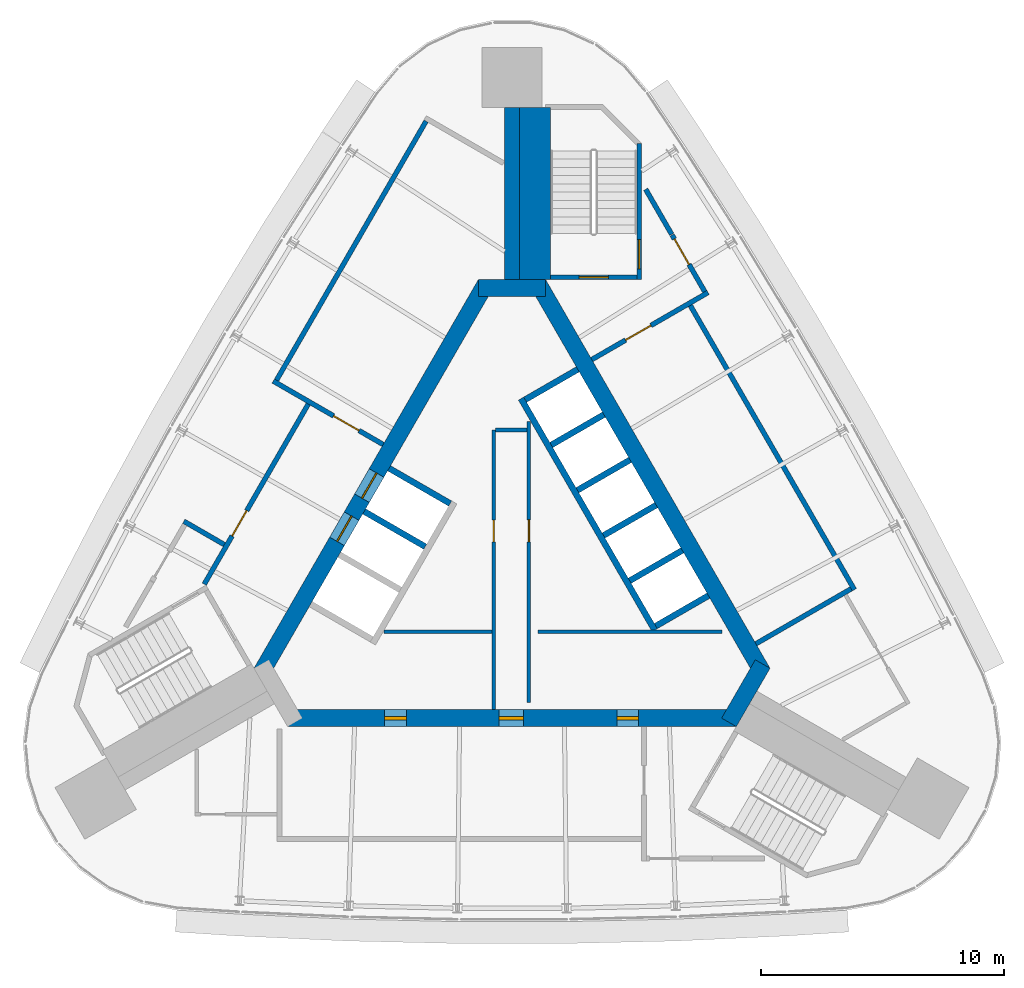
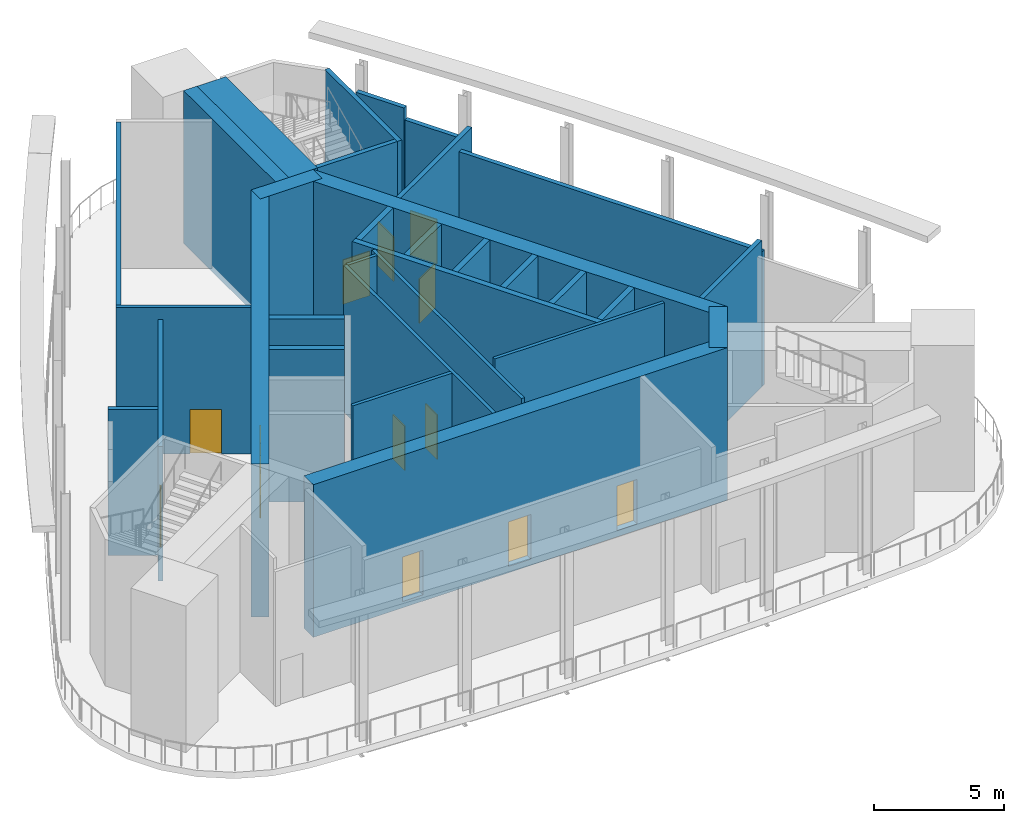
# One storey, part 3 of 7: 32 walls, 13 doors, 13 openings.
"""IFC4 building model written with IfcOpenShell, lengths in metres."""

from ifc_helpers import new_model, si_unit, direction, frame, frame_2d, origin, place, context, subcontext, project, spatial, rectangle, extrude, material, layer, layer_set, type_object, element, fill, save


model = new_model("IFC4")

# Units and contexts
model_context = context("Model", 3, precision=1e-05, world=origin(), true_north=direction((0.0, 1.0)))
body_context = subcontext(model_context, "Body", "Model", "MODEL_VIEW")
ifc_project = project(units=[si_unit("LENGTHUNIT", "METRE"), si_unit("AREAUNIT", "SQUARE_METRE"), si_unit("VOLUMEUNIT", "CUBIC_METRE"), si_unit("PLANEANGLEUNIT", "RADIAN"), si_unit("MASSUNIT", "GRAM", prefix="KILO")], contexts=[model_context])

# Site, building, storey
site_placement = place(None, origin())
site = spatial("IfcSite", under=ifc_project, at=site_placement, CompositionType="ELEMENT")
building_placement = place(site_placement, origin())
building = spatial("IfcBuilding", under=site, at=building_placement, Name="Noor Cloister Tower", CompositionType="ELEMENT")
storey_placement = place(building_placement, frame((0.0, 0.0, 250.800048828125)))
storey = spatial("IfcBuildingStorey", under=building, at=storey_placement, Name="L65", CompositionType="ELEMENT", Elevation=250.800048828125)

# Walls
ifc_material_1 = material(Name="Concrete C60/75", Category="concrete")
ifc_layer_1 = layer(ifc_material_1, 0.60009765625)
ifc_layer_set_1 = layer_set([ifc_layer_1], Name="Buttress wall 600 C60/75")
wall_type_1 = type_object("IfcWallType", Name="Buttress wall 600 C60/75", PredefinedType="SHEAR", material=ifc_layer_set_1)
wall_1_placement = place(storey_placement, frame((0.0, 11.456298828125, -0.300048828125), z_axis=(0.0, 0.0, 1.0), x_axis=(0.0, 1.0, 0.0)))
element("IfcWall", 1, at=wall_1_placement, inside=storey, type_object=wall_type_1, Name="Buttress wall N L65", PredefinedType="SHEAR", context=body_context, shape_type="SweptSolid", body=[
    extrude(rectangle(XDim=7.09375, YDim=0.60009765625, at=frame_2d((3.546875, 0.0))), origin(), (0.0, 0.0, 1.0), 7.199951171875),
])
ifc_material_2 = material(Name="Concrete C30/37", Category="concrete")
ifc_layer_2 = layer(ifc_material_2, 0.14990234375)
ifc_layer_set_2 = layer_set([ifc_layer_2], Name="Core partition 150 C30/37")
wall_type_2 = type_object("IfcWallType", Name="Core partition 150 C30/37", PredefinedType="PARTITIONING", material=ifc_layer_set_2)
wall_2_placement = place(storey_placement, frame((-5.2578125, -3.0283203125, 0.0), z_axis=(0.0, 0.0, 1.0), x_axis=(1.0, 0.0, 0.0)))
element("IfcWall", 2, at=wall_2_placement, inside=storey, type_object=wall_type_2, Name="Core room partition L65 1", PredefinedType="PARTITIONING", context=body_context, shape_type="SweptSolid", body=[
    extrude(rectangle(XDim=4.42919921875, YDim=0.14990234375, at=frame_2d((2.214599609375, 0.0))), origin(), (0.0, 0.0, 1.0), 6.89990234375),
])

# Wall, opening, door
wall_3_placement = place(storey_placement, frame((-0.753662109375, 5.271728515625, 0.0), z_axis=(0.0, 0.0, 1.0), x_axis=(0.0, -1.0, 0.0)))
wall_3 = element("IfcWall", 3, at=wall_3_placement, inside=storey, type_object=wall_type_2, Name="Core room partition L65 2", PredefinedType="PARTITIONING", context=body_context, shape_type="SweptSolid", body=[
    extrude(rectangle(XDim=11.5, YDim=0.14990234375, at=frame_2d((5.75, 0.0))), origin(), (0.0, 0.0, 1.0), 6.89990234375),
])
opening_1_placement = place(wall_3_placement, frame((3.700927734375, 0.0, 0.0)))
opening_1 = element("IfcOpeningElement", 4, at=opening_1_placement, cuts=wall_3, Name="Opening L65-904", PredefinedType="OPENING", context=body_context, shape_type="SweptSolid", body=[
    extrude(rectangle(XDim=0.89990234375, YDim=2.10009765625, at=frame_2d((0.449951171875, 1.050048828125))), frame((0.0, 0.0849609375, 0.0), z_axis=(0.0, -1.0, 0.0), x_axis=(1.0, 0.0, 0.0)), (0.0, 0.0, 1.0), 0.169921875),
])
ifc_material_3 = material(Name="Steel", Category="steel")
door_type_1 = type_object("IfcDoorType", Name="Core door 900 x 2100 FD60", OperationType="SINGLE_SWING_LEFT", PredefinedType="DOOR", material=ifc_material_3)
door_1_placement = place(opening_1_placement, origin())
door_1 = element("IfcDoor", 5, at=door_1_placement, inside=storey, type_object=door_type_1, Name="Core door 4 L65", OperationType="SINGLE_SWING_RIGHT", OverallHeight=2.10009765625, OverallWidth=0.89990234375, PredefinedType="DOOR", context=body_context, shape_type="SweptSolid", body=[
    extrude(rectangle(XDim=0.89990234375, YDim=2.10009765625, at=frame_2d((0.449951171875, 1.050048828125))), frame((0.0, 0.02490234375, 0.0), z_axis=(0.0, -1.0, 0.0), x_axis=(1.0, 0.0, 0.0)), (0.0, 0.0, 1.0), 0.050048828125),
])
fill(opening_1, door_1)

# Wall
wall_4_placement = place(storey_placement, frame((-0.6787109375, 5.271728515625, 0.0), z_axis=(0.0, 0.0, 1.0), x_axis=(1.0, 0.0, 0.0)))
element("IfcWall", 6, at=wall_4_placement, inside=storey, type_object=wall_type_2, Name="Core room partition L65 3", PredefinedType="PARTITIONING", context=body_context, shape_type="SweptSolid", body=[
    extrude(rectangle(XDim=1.300048828125, YDim=0.14990234375, at=frame_2d((0.64990234375, 0.0))), origin(), (0.0, 0.0, 1.0), 6.89990234375),
])

# Wall, opening, door
wall_5_placement = place(storey_placement, frame((0.6962890625, -5.92822265625, 0.0), z_axis=(0.0, 0.0, 1.0), x_axis=(0.0, 1.0, 0.0)))
wall_5 = element("IfcWall", 7, at=wall_5_placement, inside=storey, type_object=wall_type_2, Name="Core room partition L65 4", PredefinedType="PARTITIONING", context=body_context, shape_type="SweptSolid", body=[
    extrude(rectangle(XDim=11.548583984375, YDim=0.14990234375, at=frame_2d((5.7744140625, 0.0))), origin(), (0.0, 0.0, 1.0), 6.89990234375),
])
opening_2_placement = place(wall_5_placement, frame((6.60009765625, 0.0, 0.0)))
opening_2 = element("IfcOpeningElement", 8, at=opening_2_placement, cuts=wall_5, Name="Opening L65-905", PredefinedType="OPENING", context=body_context, shape_type="SweptSolid", body=[
    extrude(rectangle(XDim=0.89990234375, YDim=2.10009765625, at=frame_2d((0.449951171875, 1.050048828125))), frame((0.0, 0.0849609375, 0.0), z_axis=(0.0, -1.0, 0.0), x_axis=(1.0, 0.0, 0.0)), (0.0, 0.0, 1.0), 0.169921875),
])
ifc_material_4 = material(Name="Steel", Category="steel")
door_type_2 = type_object("IfcDoorType", Name="Core door 900 x 2100 FD120", OperationType="SINGLE_SWING_LEFT", PredefinedType="DOOR", material=ifc_material_4)
door_2_placement = place(opening_2_placement, origin())
door_2 = element("IfcDoor", 9, at=door_2_placement, inside=storey, type_object=door_type_2, Name="Core door 5 L65", OperationType="SINGLE_SWING_LEFT", OverallHeight=2.10009765625, OverallWidth=0.89990234375, PredefinedType="DOOR", context=body_context, shape_type="SweptSolid", body=[
    extrude(rectangle(XDim=0.89990234375, YDim=2.10009765625, at=frame_2d((0.449951171875, 1.050048828125))), frame((0.0, 0.02490234375, 0.0), z_axis=(0.0, -1.0, 0.0), x_axis=(1.0, 0.0, 0.0)), (0.0, 0.0, 1.0), 0.050048828125),
])
fill(opening_2, door_2)

# Wall
wall_6_placement = place(storey_placement, frame((1.0712890625, -3.0283203125, 0.0), z_axis=(0.0, 0.0, 1.0), x_axis=(1.0, 0.0, 0.0)))
element("IfcWall", 10, at=wall_6_placement, inside=storey, type_object=wall_type_2, Name="Core room partition L65 5", PredefinedType="PARTITIONING", context=body_context, shape_type="SweptSolid", body=[
    extrude(rectangle(XDim=7.568603515625, YDim=0.14990234375, at=frame_2d((3.7841796875, 0.0))), origin(), (0.0, 0.0, 1.0), 6.89990234375),
])

# Wall, openings, doors
ifc_material_5 = material(Name="Concrete C60/75", Category="concrete")
ifc_layer_3 = layer(ifc_material_5, 0.699951171875)
ifc_layer_set_3 = layer_set([ifc_layer_3], Name="Core wall 700 C60/75")
wall_type_3 = type_object("IfcWallType", Name="Core wall 700 C60/75", PredefinedType="SHEAR", material=ifc_layer_set_3)
wall_7_placement = place(storey_placement, frame((-9.228759765625, -6.578125, -0.300048828125), z_axis=(0.0, 0.0, 1.0), x_axis=(1.0, 0.0, 0.0)))
wall_7 = element("IfcWall", 11, at=wall_7_placement, inside=storey, type_object=wall_type_3, Name="Core wall L65 1", PredefinedType="SHEAR", context=body_context, shape_type="SweptSolid", body=[
    extrude(rectangle(XDim=18.45751953125, YDim=0.699951171875, at=frame_2d((9.228759765625, 0.0))), origin(), (0.0, 0.0, 1.0), 7.199951171875),
])
opening_3_placement = place(wall_7_placement, frame((8.699951171875, 0.0, 0.300048828125)))
opening_3 = element("IfcOpeningElement", 12, at=opening_3_placement, cuts=wall_7, Name="Opening L65-901", PredefinedType="OPENING", context=body_context, shape_type="SweptSolid", body=[
    extrude(rectangle(XDim=1.0, YDim=2.10009765625, at=frame_2d((0.5, 1.050048828125))), frame((0.0, 0.35986328125, 0.0), z_axis=(0.0, -1.0, 0.0), x_axis=(1.0, 0.0, 0.0)), (0.0, 0.0, 1.0), 0.719970703125),
])
opening_4_placement = place(wall_7_placement, frame((3.989501953125, 0.0, 0.300048828125)))
opening_4 = element("IfcOpeningElement", 13, at=opening_4_placement, cuts=wall_7, Name="Opening L65-902", PredefinedType="OPENING", context=body_context, shape_type="SweptSolid", body=[
    extrude(rectangle(XDim=0.89990234375, YDim=2.10009765625, at=frame_2d((0.449951171875, 1.050048828125))), frame((0.0, 0.35986328125, 0.0), z_axis=(0.0, -1.0, 0.0), x_axis=(1.0, 0.0, 0.0)), (0.0, 0.0, 1.0), 0.719970703125),
])
opening_5_placement = place(wall_7_placement, frame((13.5390625, 0.0, 0.300048828125)))
opening_5 = element("IfcOpeningElement", 14, at=opening_5_placement, cuts=wall_7, Name="Opening L65-903", PredefinedType="OPENING", context=body_context, shape_type="SweptSolid", body=[
    extrude(rectangle(XDim=0.89990234375, YDim=2.10009765625, at=frame_2d((0.449951171875, 1.050048828125))), frame((0.0, 0.35986328125, 0.0), z_axis=(0.0, -1.0, 0.0), x_axis=(1.0, 0.0, 0.0)), (0.0, 0.0, 1.0), 0.719970703125),
])
ifc_material_6 = material(Name="Steel", Category="steel")
door_type_3 = type_object("IfcDoorType", Name="Core door 1000 x 2100 FD120", OperationType="SINGLE_SWING_LEFT", PredefinedType="DOOR", material=ifc_material_6)
door_3_placement = place(opening_3_placement, origin())
door_3 = element("IfcDoor", 15, at=door_3_placement, inside=storey, type_object=door_type_3, Name="Core door 1 L65", OperationType="SINGLE_SWING_LEFT", OverallHeight=2.10009765625, OverallWidth=1.0, PredefinedType="DOOR", context=body_context, shape_type="SweptSolid", body=[
    extrude(rectangle(XDim=1.0, YDim=2.10009765625, at=frame_2d((0.5, 1.050048828125))), frame((0.0, 0.074951171875, 0.0), z_axis=(0.0, -1.0, 0.0), x_axis=(1.0, 0.0, 0.0)), (0.0, 0.0, 1.0), 0.14990234375),
])
fill(opening_3, door_3)
door_4_placement = place(opening_4_placement, origin())
door_4 = element("IfcDoor", 16, at=door_4_placement, inside=storey, type_object=door_type_2, Name="Core door 2 L65", OperationType="SINGLE_SWING_RIGHT", OverallHeight=2.10009765625, OverallWidth=0.89990234375, PredefinedType="DOOR", context=body_context, shape_type="SweptSolid", body=[
    extrude(rectangle(XDim=0.89990234375, YDim=2.10009765625, at=frame_2d((0.449951171875, 1.050048828125))), frame((0.0, 0.074951171875, 0.0), z_axis=(0.0, -1.0, 0.0), x_axis=(1.0, 0.0, 0.0)), (0.0, 0.0, 1.0), 0.14990234375),
])
fill(opening_4, door_4)
door_5_placement = place(opening_5_placement, origin())
door_5 = element("IfcDoor", 17, at=door_5_placement, inside=storey, type_object=door_type_1, Name="Core door 3 L65", OperationType="SINGLE_SWING_LEFT", OverallHeight=2.10009765625, OverallWidth=0.89990234375, PredefinedType="DOOR", context=body_context, shape_type="SweptSolid", body=[
    extrude(rectangle(XDim=0.89990234375, YDim=2.10009765625, at=frame_2d((0.449951171875, 1.050048828125))), frame((0.0, 0.074951171875, 0.0), z_axis=(0.0, -1.0, 0.0), x_axis=(1.0, 0.0, 0.0)), (0.0, 0.0, 1.0), 0.14990234375),
])
fill(opening_5, door_5)

# Walls
wall_8_placement = place(storey_placement, frame((8.925537109375, -6.753173828125, -0.300048828125), z_axis=(0.0, 0.0, 1.0), x_axis=(0.500042739161, 0.866000726912, 0.0)))
element("IfcWall", 18, at=wall_8_placement, inside=storey, type_object=wall_type_3, Name="Core wall L65 2", PredefinedType="SHEAR", context=body_context, shape_type="SweptSolid", body=[
    extrude(rectangle(XDim=2.771240234375, YDim=0.699951171875, at=frame_2d((1.3857421875, 0.0))), origin(), (0.0, 0.0, 1.0), 7.199951171875),
])
wall_9_placement = place(storey_placement, frame((10.311279296875, -4.703125, -0.300048828125), z_axis=(0.0, 0.0, 1.0), x_axis=(-0.500001446645, 0.866024568562, 0.0)))
element("IfcWall", 19, at=wall_9_placement, inside=storey, type_object=wall_type_3, Name="Core wall L65 3", PredefinedType="SHEAR", context=body_context, shape_type="SweptSolid", body=[
    extrude(rectangle(XDim=18.45751953125, YDim=0.699951171875, at=frame_2d((9.228759765625, 0.0))), origin(), (0.0, 0.0, 1.0), 7.199951171875),
])
wall_10_placement = place(storey_placement, frame((1.3857421875, 11.1064453125, -0.300048828125), z_axis=(0.0, 0.0, 1.0), x_axis=(-1.0, 0.0, 0.0)))
element("IfcWall", 20, at=wall_10_placement, inside=storey, type_object=wall_type_3, Name="Core wall L65 4", PredefinedType="SHEAR", context=body_context, shape_type="SweptSolid", body=[
    extrude(rectangle(XDim=2.771484375, YDim=0.699951171875, at=frame_2d((1.3857421875, 0.0))), origin(), (0.0, 0.0, 1.0), 7.199951171875),
])

# Wall, openings, doors
wall_11_placement = place(storey_placement, frame((-1.08251953125, 11.281494140625, -0.300048828125), z_axis=(0.0, 0.0, 1.0), x_axis=(-0.500001446645, -0.866024568562, 0.0)))
wall_11 = element("IfcWall", 21, at=wall_11_placement, inside=storey, type_object=wall_type_3, Name="Core wall L65 5", PredefinedType="SHEAR", context=body_context, shape_type="SweptSolid", body=[
    extrude(rectangle(XDim=18.45751953125, YDim=0.699951171875, at=frame_2d((9.228759765625, 0.0))), origin(), (0.0, 0.0, 1.0), 7.199951171875),
])
opening_6_placement = place(wall_11_placement, frame((8.978759765625, 0.0, 0.300048828125)))
opening_6 = element("IfcOpeningElement", 22, at=opening_6_placement, cuts=wall_11, Name="Opening L65-FF1", PredefinedType="OPENING", context=body_context, shape_type="SweptSolid", body=[
    extrude(rectangle(XDim=1.199951171875, YDim=2.10009765625, at=frame_2d((0.60009765625, 1.050048828125))), frame((0.0, 0.35986328125, 0.0), z_axis=(0.0, -1.0, 0.0), x_axis=(1.0, 0.0, 0.0)), (0.0, 0.0, 1.0), 0.719970703125),
])
opening_7_placement = place(wall_11_placement, frame((11.02880859375, 0.0, 0.300048828125)))
opening_7 = element("IfcOpeningElement", 23, at=opening_7_placement, cuts=wall_11, Name="Opening L65-FF2", PredefinedType="OPENING", context=body_context, shape_type="SweptSolid", body=[
    extrude(rectangle(XDim=1.199951171875, YDim=2.10009765625, at=frame_2d((0.60009765625, 1.050048828125))), frame((0.0, 0.35986328125, 0.0), z_axis=(0.0, -1.0, 0.0), x_axis=(1.0, 0.0, 0.0)), (0.0, 0.0, 1.0), 0.719970703125),
])
ifc_material_7 = material(Name="Stainless steel", Category="steel")
door_type_4 = type_object("IfcDoorType", Name="Lift landing door 1200 x 2100", OperationType="DOUBLE_DOOR_SLIDING", PredefinedType="DOOR", material=ifc_material_7)
door_6_placement = place(opening_6_placement, origin())
door_6 = element("IfcDoor", 24, at=door_6_placement, inside=storey, type_object=door_type_4, Name="Landing door FF1 L65", OperationType="DOUBLE_DOOR_SLIDING", OverallHeight=2.10009765625, OverallWidth=1.199951171875, PredefinedType="DOOR", context=body_context, shape_type="SweptSolid", body=[
    extrude(rectangle(XDim=1.199951171875, YDim=2.10009765625, at=frame_2d((0.60009765625, 1.050048828125))), frame((0.0, 0.02490234375, 0.0), z_axis=(0.0, -1.0, 0.0), x_axis=(1.0, 0.0, 0.0)), (0.0, 0.0, 1.0), 0.050048828125),
])
fill(opening_6, door_6)
door_7_placement = place(opening_7_placement, origin())
door_7 = element("IfcDoor", 25, at=door_7_placement, inside=storey, type_object=door_type_4, Name="Landing door FF2 L65", OperationType="DOUBLE_DOOR_SLIDING", OverallHeight=2.10009765625, OverallWidth=1.199951171875, PredefinedType="DOOR", context=body_context, shape_type="SweptSolid", body=[
    extrude(rectangle(XDim=1.199951171875, YDim=2.10009765625, at=frame_2d((0.60009765625, 1.050048828125))), frame((0.0, 0.02490234375, 0.0), z_axis=(0.0, -1.0, 0.0), x_axis=(1.0, 0.0, 0.0)), (0.0, 0.0, 1.0), 0.050048828125),
])
fill(opening_7, door_7)

# Walls
ifc_material_8 = material(Name="Concrete C60/75", Category="concrete")
ifc_layer_4 = layer(ifc_material_8, 0.25)
ifc_layer_set_4 = layer_set([ifc_layer_4], Name="Shaft wall 250 C60/75")
wall_type_4 = type_object("IfcWallType", Name="Shaft wall 250 C60/75", PredefinedType="PARTITIONING", material=ifc_layer_set_4)
for number, where, z_axis, x_axis, name in (
    (26, (8.081298828125, -1.540771484375, -0.300048828125), (0.0, 0.0, 1.0), (-0.866022959057, -0.500004234368, 0.0), "Lift shaft wall L65 NE 1"),
    (27, (7.00634765625, 0.3212890625, -0.300048828125), (0.0, 0.0, 1.0), (-0.866022959057, -0.500004234368, 0.0), "Lift shaft wall L65 NE 2"),
):
    element("IfcWall", number, at=place(storey_placement, frame(where, z_axis=z_axis, x_axis=x_axis)), inside=storey, type_object=wall_type_4, Name=name, PredefinedType="PARTITIONING", context=body_context, shape_type="SweptSolid", body=[
        extrude(rectangle(XDim=2.5, YDim=0.25, at=frame_2d((1.25, 0.0))), origin(), (0.0, 0.0, 1.0), 7.199951171875),
    ])
wall_12_placement = place(storey_placement, frame((5.931396484375, 2.18310546875, -0.300048828125), z_axis=(0.0, 0.0, 1.0), x_axis=(-0.866047370643, -0.499961950354, 0.0)))
element("IfcWall", 28, at=wall_12_placement, inside=storey, type_object=wall_type_4, Name="Lift shaft wall L65 NE 3", PredefinedType="PARTITIONING", context=body_context, shape_type="SweptSolid", body=[
    extrude(rectangle(XDim=2.500244140625, YDim=0.25, at=frame_2d((1.25, 0.0))), origin(), (0.0, 0.0, 1.0), 7.199951171875),
])
for number, where, z_axis, x_axis, name in (
    (29, (4.856201171875, 4.045166015625, -0.300048828125), (0.0, 0.0, 1.0), (-0.866022959057, -0.500004234368, 0.0), "Lift shaft wall L65 NE 4"),
    (30, (3.78125, 5.906982421875, -0.300048828125), (0.0, 0.0, 1.0), (-0.866022959057, -0.500004234368, 0.0), "Lift shaft wall L65 NE 5"),
    (31, (2.706298828125, 7.76904296875, -0.300048828125), (0.0, 0.0, 1.0), (-0.866022959057, -0.500004234368, 0.0), "Lift shaft wall L65 NE 6"),
):
    element("IfcWall", number, at=place(storey_placement, frame(where, z_axis=z_axis, x_axis=x_axis)), inside=storey, type_object=wall_type_4, Name=name, PredefinedType="PARTITIONING", context=body_context, shape_type="SweptSolid", body=[
        extrude(rectangle(XDim=2.5, YDim=0.25, at=frame_2d((1.25, 0.0))), origin(), (0.0, 0.0, 1.0), 7.199951171875),
    ])
wall_13_placement = place(storey_placement, frame((5.870361328125, -2.96142578125, 0.0), z_axis=(0.0, 0.0, 1.0), x_axis=(-0.50000615651, 0.866021849293, 0.0)))
element("IfcWall", 32, at=wall_13_placement, inside=storey, type_object=wall_type_4, Name="Lift shaft back wall L65 NE", PredefinedType="PARTITIONING", context=body_context, shape_type="SweptSolid", body=[
    extrude(rectangle(XDim=10.999755859375, YDim=0.25, at=frame_2d((5.5, 0.0))), origin(), (0.0, 0.0, 1.0), 6.89990234375),
])
for number, where, z_axis, x_axis, name in (
    (33, (-5.056396484375, 3.69873046875, -0.300048828125), (0.0, 0.0, 1.0), (0.866032775405, -0.499987231761, 0.0), "Lift shaft wall L65 NW 3"),
    (34, (-6.081298828125, 1.92333984375, -0.300048828125), (0.0, 0.0, 1.0), (0.866032775405, -0.499987231761, 0.0), "Lift shaft wall L65 NW 4"),
):
    element("IfcWall", number, at=place(storey_placement, frame(where, z_axis=z_axis, x_axis=x_axis)), inside=storey, type_object=wall_type_4, Name=name, PredefinedType="PARTITIONING", context=body_context, shape_type="SweptSolid", body=[
        extrude(rectangle(XDim=2.89990234375, YDim=0.25, at=frame_2d((1.449951171875, 0.0))), origin(), (0.0, 0.0, 1.0), 7.199951171875),
    ])
ifc_material_9 = material(Name="Concrete C60/75", Category="concrete")
ifc_layer_5 = layer(ifc_material_9, 1.285888671875)
ifc_layer_set_5 = layer_set([ifc_layer_5], Name="Stair enclosure wall 1286 C60/75")
wall_type_5 = type_object("IfcWallType", Name="Stair enclosure wall 1286 C60/75", PredefinedType="SHEAR", material=ifc_layer_set_5)
wall_14_placement = place(storey_placement, frame((0.94287109375, 11.456298828125, -0.300048828125), z_axis=(0.0, 0.0, 1.0), x_axis=(0.0, 1.0, 0.0)))
element("IfcWall", 35, at=wall_14_placement, inside=storey, type_object=wall_type_5, Name="Stair enclosure wall ST1 L65 riser side", PredefinedType="SHEAR", context=body_context, shape_type="SweptSolid", body=[
    extrude(rectangle(XDim=7.09375, YDim=1.28564453125, at=frame_2d((3.546875, 0.0))), origin(), (0.0, 0.0, 1.0), 7.199951171875),
])

# Wall, opening, door
ifc_material_10 = material(Name="Concrete C60/75", Category="concrete")
ifc_layer_6 = layer(ifc_material_10, 0.199951171875)
ifc_layer_set_6 = layer_set([ifc_layer_6], Name="Stair enclosure wall 200 C60/75")
wall_type_6 = type_object("IfcWallType", Name="Stair enclosure wall 200 C60/75", PredefinedType="SHEAR", material=ifc_layer_set_6)
wall_15_placement = place(storey_placement, frame((5.135498046875, 11.556396484375, -0.300048828125), z_axis=(0.0, 0.0, 1.0), x_axis=(-1.0, 0.0, 0.0)))
wall_15 = element("IfcWall", 36, at=wall_15_placement, inside=storey, type_object=wall_type_6, Name="Stair enclosure wall ST1 L65 near end", PredefinedType="SHEAR", context=body_context, shape_type="SweptSolid", body=[
    extrude(rectangle(XDim=3.5498046875, YDim=0.199951171875, at=frame_2d((1.77490234375, 0.0))), origin(), (0.0, 0.0, 1.0), 7.199951171875),
])
opening_8_placement = place(wall_15_placement, frame((1.175048828125, 0.0, 0.300048828125)))
opening_8 = element("IfcOpeningElement", 37, at=opening_8_placement, cuts=wall_15, Name="Opening L65-ST1L", PredefinedType="OPENING", context=body_context, shape_type="SweptSolid", body=[
    extrude(rectangle(XDim=1.199951171875, YDim=2.10009765625, at=frame_2d((0.60009765625, 1.050048828125))), frame((0.0, 0.10986328125, 0.0), z_axis=(0.0, -1.0, 0.0), x_axis=(1.0, 0.0, 0.0)), (0.0, 0.0, 1.0), 0.219970703125),
])
ifc_material_11 = material(Name="Steel", Category="steel")
door_type_5 = type_object("IfcDoorType", Name="Stair door 1200 x 2100 FD120", OperationType="SINGLE_SWING_LEFT", PredefinedType="DOOR", material=ifc_material_11)
door_8_placement = place(opening_8_placement, origin())
door_8 = element("IfcDoor", 38, at=door_8_placement, inside=storey, type_object=door_type_5, Name="Stair door ST1 L65", OperationType="SINGLE_SWING_RIGHT", OverallHeight=2.10009765625, OverallWidth=1.199951171875, PredefinedType="DOOR", context=body_context, shape_type="SweptSolid", body=[
    extrude(rectangle(XDim=1.199951171875, YDim=2.10009765625, at=frame_2d((0.60009765625, 1.050048828125))), frame((0.0, 0.02490234375, 0.0), z_axis=(0.0, -1.0, 0.0), x_axis=(1.0, 0.0, 0.0)), (0.0, 0.0, 1.0), 0.050048828125),
])
fill(opening_8, door_8)

wall_16_placement = place(storey_placement, frame((5.235595703125, 11.456298828125, -0.300048828125), z_axis=(0.0, 0.0, 1.0), x_axis=(0.0, 1.0, 0.0)))
wall_16 = element("IfcWall", 39, at=wall_16_placement, inside=storey, type_object=wall_type_6, Name="Stair enclosure wall ST1 L65 outer side", PredefinedType="SHEAR", context=body_context, shape_type="SweptSolid", body=[
    extrude(rectangle(XDim=5.60009765625, YDim=0.199951171875, at=frame_2d((2.800048828125, 0.0))), origin(), (0.0, 0.0, 1.0), 7.199951171875),
])
opening_9_placement = place(wall_16_placement, frame((0.449951171875, 0.0, 0.300048828125)))
opening_9 = element("IfcOpeningElement", 40, at=opening_9_placement, cuts=wall_16, Name="Opening L65-ST1C", PredefinedType="OPENING", context=body_context, shape_type="SweptSolid", body=[
    extrude(rectangle(XDim=1.199951171875, YDim=2.10009765625, at=frame_2d((0.60009765625, 1.050048828125))), frame((0.0, 0.10986328125, 0.0), z_axis=(0.0, -1.0, 0.0), x_axis=(1.0, 0.0, 0.0)), (0.0, 0.0, 1.0), 0.219970703125),
])
door_9_placement = place(opening_9_placement, origin())
door_9 = element("IfcDoor", 41, at=door_9_placement, inside=storey, type_object=door_type_5, Name="Stair door ST1 L65", OperationType="SINGLE_SWING_LEFT", OverallHeight=2.10009765625, OverallWidth=1.199951171875, PredefinedType="DOOR", context=body_context, shape_type="SweptSolid", body=[
    extrude(rectangle(XDim=1.199951171875, YDim=2.10009765625, at=frame_2d((0.60009765625, 1.050048828125))), frame((0.0, 0.02490234375, 0.0), z_axis=(0.0, -1.0, 0.0), x_axis=(1.0, 0.0, 0.0)), (0.0, 0.0, 1.0), 0.050048828125),
])
fill(opening_9, door_9)

# Wall
ifc_material_12 = material(Name="Concrete block wall, 200 mm", Category="concrete")
ifc_layer_7 = layer(ifc_material_12, 0.199951171875)
ifc_layer_set_7 = layer_set([ifc_layer_7], Name="Upper floor plant room wall 200")
wall_type_7 = type_object("IfcWallType", Name="Upper floor plant room wall 200", PredefinedType="PARTITIONING", material=ifc_layer_set_7)
wall_17_placement = place(storey_placement, frame((-13.498779296875, 1.519287109375, 0.0), z_axis=(0.0, 0.0, 1.0), x_axis=(0.866014224953, -0.500019361804, 0.0)))
element("IfcWall", 42, at=wall_17_placement, inside=storey, type_object=wall_type_7, Name="Upper floor plant room wall 200 L65 001", PredefinedType="PARTITIONING", context=body_context, shape_type="SweptSolid", body=[
    extrude(rectangle(XDim=1.921875, YDim=0.199951171875, at=frame_2d((0.9609375, 0.0))), origin(), (0.0, 0.0, 1.0), 6.89990234375),
])

# Wall, opening, door
wall_18_placement = place(storey_placement, frame((-12.657958984375, -1.06787109375, 0.0), z_axis=(0.0, 0.0, 1.0), x_axis=(0.500000816281, 0.866024932504, 0.0)))
wall_18 = element("IfcWall", 43, at=wall_18_placement, inside=storey, type_object=wall_type_7, Name="Upper floor plant room wall 200 L65 002", PredefinedType="PARTITIONING", context=body_context, shape_type="SweptSolid", body=[
    extrude(rectangle(XDim=8.5537109375, YDim=0.199951171875, at=frame_2d((4.27685546875, 0.0))), origin(), (0.0, 0.0, 1.0), 6.35205078125),
])
opening_10_placement = place(wall_18_placement, frame((2.291748046875, 0.0, 0.0)))
opening_10 = element("IfcOpeningElement", 44, at=opening_10_placement, cuts=wall_18, Name="Opening L65-003", PredefinedType="OPENING", context=body_context, shape_type="SweptSolid", body=[
    extrude(rectangle(XDim=1.199951171875, YDim=2.10009765625, at=frame_2d((0.60009765625, 1.050048828125))), frame((0.0, 0.10986328125, 0.0), z_axis=(0.0, -1.0, 0.0), x_axis=(1.0, 0.0, 0.0)), (0.0, 0.0, 1.0), 0.219970703125),
])
ifc_material_13 = material(Name="Timber door leaf with steel frame", Category="steel")
door_type_6 = type_object("IfcDoorType", Name="Firefighting lobby door 1200", OperationType="NOTDEFINED", PredefinedType="DOOR", material=ifc_material_13)
door_10_placement = place(opening_10_placement, origin())
door_10 = element("IfcDoor", 45, at=door_10_placement, inside=storey, type_object=door_type_6, Name="Firefighting lobby door 1200 L65-003", OperationType="SINGLE_SWING_LEFT", OverallHeight=2.10009765625, OverallWidth=1.199951171875, PredefinedType="DOOR", context=body_context, shape_type="SweptSolid", body=[
    extrude(rectangle(XDim=1.199951171875, YDim=2.10009765625, at=frame_2d((0.60009765625, 1.050048828125))), frame((0.0, 0.02490234375, 0.0), z_axis=(0.0, -1.0, 0.0), x_axis=(1.0, 0.0, 0.0)), (0.0, 0.0, 1.0), 0.050048828125),
])
fill(opening_10, door_10)

wall_19_placement = place(storey_placement, frame((-9.822265625, 7.287353515625, 0.0), z_axis=(0.0, 0.0, 1.0), x_axis=(0.866030647982, -0.499990916673, 0.0)))
wall_19 = element("IfcWall", 46, at=wall_19_placement, inside=storey, type_object=wall_type_7, Name="Upper floor plant room wall 200 L65 003", PredefinedType="PARTITIONING", context=body_context, shape_type="SweptSolid", body=[
    extrude(rectangle(XDim=5.2216796875, YDim=0.199951171875, at=frame_2d((2.61083984375, 0.0))), origin(), (0.0, 0.0, 1.0), 6.89990234375),
])
opening_11_placement = place(wall_19_placement, frame((2.871826171875, 0.0, 0.0)))
opening_11 = element("IfcOpeningElement", 47, at=opening_11_placement, cuts=wall_19, Name="Opening L65-002", PredefinedType="OPENING", context=body_context, shape_type="SweptSolid", body=[
    extrude(rectangle(XDim=1.199951171875, YDim=2.10009765625, at=frame_2d((0.60009765625, 1.050048828125))), frame((0.0, 0.10986328125, 0.0), z_axis=(0.0, -1.0, 0.0), x_axis=(1.0, 0.0, 0.0)), (0.0, 0.0, 1.0), 0.219970703125),
])
ifc_material_14 = material(Name="Timber door leaf with steel frame", Category="steel")
door_type_7 = type_object("IfcDoorType", Name="Protected lobby door 1200", OperationType="NOTDEFINED", PredefinedType="DOOR", material=ifc_material_14)
door_11_placement = place(opening_11_placement, origin())
door_11 = element("IfcDoor", 48, at=door_11_placement, inside=storey, type_object=door_type_7, Name="Protected lobby door 1200 L65-002", OperationType="SINGLE_SWING_RIGHT", OverallHeight=2.10009765625, OverallWidth=1.199951171875, PredefinedType="DOOR", context=body_context, shape_type="SweptSolid", body=[
    extrude(rectangle(XDim=1.199951171875, YDim=2.10009765625, at=frame_2d((0.60009765625, 1.050048828125))), frame((0.0, 0.02490234375, 0.0), z_axis=(0.0, -1.0, 0.0), x_axis=(1.0, 0.0, 0.0)), (0.0, 0.0, 1.0), 0.050048828125),
])
fill(opening_11, door_11)

# Wall
wall_20_placement = place(storey_placement, frame((-3.53564453125, 17.97607421875, 0.0), z_axis=(0.0, 0.0, 1.0), x_axis=(-0.499994497941, -0.866028580376, 0.0)))
element("IfcWall", 49, at=wall_20_placement, inside=storey, type_object=wall_type_7, Name="Upper floor plant room wall 200 L65 007", PredefinedType="PARTITIONING", context=body_context, shape_type="SweptSolid", body=[
    extrude(rectangle(XDim=12.300048828125, YDim=0.199951171875, at=frame_2d((6.14990234375, 0.0))), origin(), (0.0, 0.0, 1.0), 6.89990234375),
])

# Wall, opening, door
wall_21_placement = place(storey_placement, frame((3.283203125, 8.169921875, 0.0), z_axis=(0.0, 0.0, 1.0), x_axis=(0.866036119804, 0.49998143885, 0.0)))
wall_21 = element("IfcWall", 50, at=wall_21_placement, inside=storey, type_object=wall_type_7, Name="Upper floor plant room wall 200 L65 014", PredefinedType="PARTITIONING", context=body_context, shape_type="SweptSolid", body=[
    extrude(rectangle(XDim=5.521728515625, YDim=0.199951171875, at=frame_2d((2.7607421875, 0.0))), origin(), (0.0, 0.0, 1.0), 6.89990234375),
])
opening_12_placement = place(wall_21_placement, frame((1.60595703125, 0.0, 0.0)))
opening_12 = element("IfcOpeningElement", 51, at=opening_12_placement, cuts=wall_21, Name="Opening L65-008", PredefinedType="OPENING", context=body_context, shape_type="SweptSolid", body=[
    extrude(rectangle(XDim=1.199951171875, YDim=2.10009765625, at=frame_2d((0.60009765625, 1.050048828125))), frame((0.0, 0.10986328125, 0.0), z_axis=(0.0, -1.0, 0.0), x_axis=(1.0, 0.0, 0.0)), (0.0, 0.0, 1.0), 0.219970703125),
])
door_12_placement = place(opening_12_placement, origin())
door_12 = element("IfcDoor", 52, at=door_12_placement, inside=storey, type_object=door_type_7, Name="Protected lobby door 1200 L65-008", OperationType="SINGLE_SWING_LEFT", OverallHeight=2.10009765625, OverallWidth=1.199951171875, PredefinedType="DOOR", context=body_context, shape_type="SweptSolid", body=[
    extrude(rectangle(XDim=1.199951171875, YDim=2.10009765625, at=frame_2d((0.60009765625, 1.050048828125))), frame((0.0, 0.02490234375, 0.0), z_axis=(0.0, -1.0, 0.0), x_axis=(1.0, 0.0, 0.0)), (0.0, 0.0, 1.0), 0.050048828125),
])
fill(opening_12, door_12)

# Wall
wall_22_placement = place(storey_placement, frame((7.335693359375, 10.39404296875, 0.0), z_axis=(0.0, 0.0, 1.0), x_axis=(0.499997969693, -0.866026575979, 0.0)))
element("IfcWall", 53, at=wall_22_placement, inside=storey, type_object=wall_type_7, Name="Upper floor plant room wall 200 L65 015", PredefinedType="PARTITIONING", context=body_context, shape_type="SweptSolid", body=[
    extrude(rectangle(XDim=13.5, YDim=0.199951171875, at=frame_2d((6.75, 0.0))), origin(), (0.0, 0.0, 1.0), 6.35205078125),
])

# Wall, opening, door
wall_23_placement = place(storey_placement, frame((7.9287109375, 10.96728515625, 0.0), z_axis=(0.0, 0.0, 1.0), x_axis=(-0.500039812592, 0.866002416754, 0.0)))
wall_23 = element("IfcWall", 54, at=wall_23_placement, inside=storey, type_object=wall_type_7, Name="Upper floor plant room wall 200 L65 016", PredefinedType="PARTITIONING", context=body_context, shape_type="SweptSolid", body=[
    extrude(rectangle(XDim=2.685791015625, YDim=0.199951171875, at=frame_2d((1.3427734375, 0.0))), origin(), (0.0, 0.0, 1.0), 6.35205078125),
])
opening_13_placement = place(wall_23_placement, frame((1.290283203125, 0.0, 0.0)))
opening_13 = element("IfcOpeningElement", 55, at=opening_13_placement, cuts=wall_23, Name="Opening L65-007", PredefinedType="OPENING", context=body_context, shape_type="SweptSolid", body=[
    extrude(rectangle(XDim=1.199951171875, YDim=2.10009765625, at=frame_2d((0.60009765625, 1.050048828125))), frame((0.0, 0.10986328125, 0.0), z_axis=(0.0, -1.0, 0.0), x_axis=(1.0, 0.0, 0.0)), (0.0, 0.0, 1.0), 0.219970703125),
])
door_13_placement = place(opening_13_placement, origin())
door_13 = element("IfcDoor", 56, at=door_13_placement, inside=storey, type_object=door_type_7, Name="Protected lobby door 1200 L65-007", OperationType="SINGLE_SWING_RIGHT", OverallHeight=2.10009765625, OverallWidth=1.199951171875, PredefinedType="DOOR", context=body_context, shape_type="SweptSolid", body=[
    extrude(rectangle(XDim=1.199951171875, YDim=2.10009765625, at=frame_2d((0.60009765625, 1.050048828125))), frame((0.0, 0.02490234375, 0.0), z_axis=(0.0, -1.0, 0.0), x_axis=(1.0, 0.0, 0.0)), (0.0, 0.0, 1.0), 0.050048828125),
])
fill(opening_13, door_13)

# Walls
wall_24_placement = place(storey_placement, frame((6.5703125, 13.31982421875, 0.0), z_axis=(0.0, 0.0, 1.0), x_axis=(-0.499975665259, 0.866039452998, 0.0)))
element("IfcWall", 57, at=wall_24_placement, inside=storey, type_object=wall_type_7, Name="Upper floor plant room wall 200 L65 017", PredefinedType="PARTITIONING", context=body_context, shape_type="SweptSolid", body=[
    extrude(rectangle(XDim=2.14208984375, YDim=0.199951171875, at=frame_2d((1.071044921875, 0.0))), origin(), (0.0, 0.0, 1.0), 6.89990234375),
])
wall_25_placement = place(storey_placement, frame((10.033203125, -3.521484375, 0.0), z_axis=(0.0, 0.0, 1.0), x_axis=(0.866041729639, 0.499971721724, 0.0)))
element("IfcWall", 58, at=wall_25_placement, inside=storey, type_object=wall_type_7, Name="Upper floor plant room wall 200 L65 018", PredefinedType="PARTITIONING", context=body_context, shape_type="SweptSolid", body=[
    extrude(rectangle(XDim=4.521728515625, YDim=0.199951171875, at=frame_2d((2.2607421875, 0.0))), origin(), (0.0, 0.0, 1.0), 6.89990234375),
])

save(model, "model.ifc")
